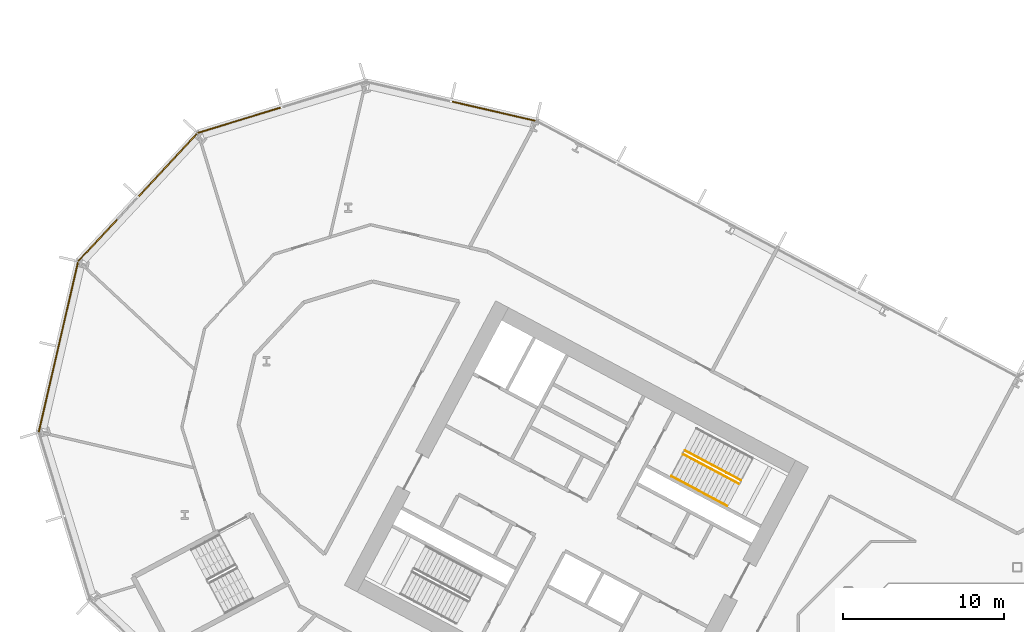
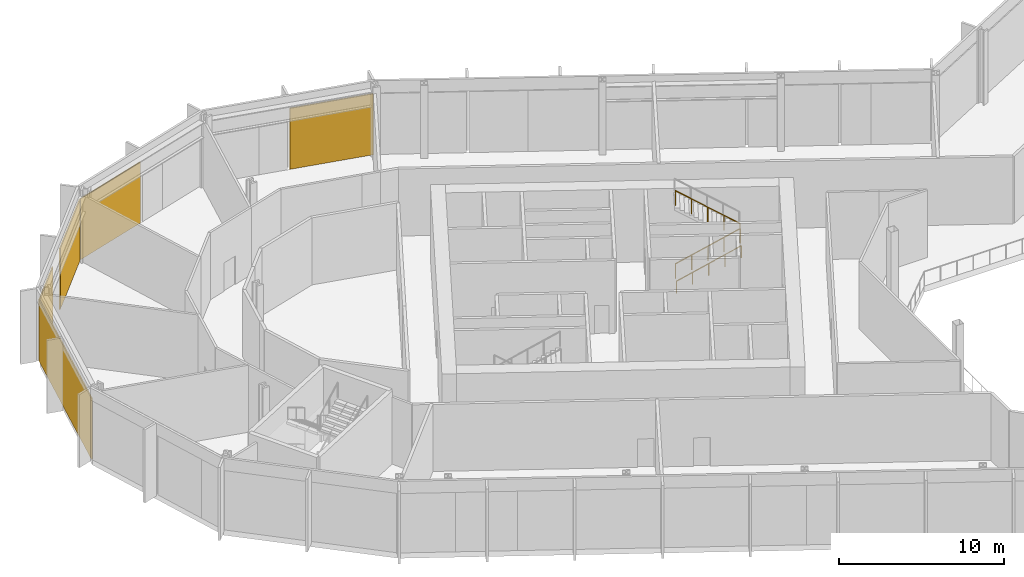
# One storey, part 23 of 30: 5 coverings, 3 railings, 4 elements without a shape of their own.
"""IFC4 building model written with IfcOpenShell, lengths in metres."""

from ifc_helpers import new_model, si_unit, direction, frame, origin, origin_2d, place, context, subcontext, project, spatial, polyline, rectangle, outline, extrude, material, layer, layer_set, type_object, element, aggregate, save


model = new_model("IFC4")

# Units and contexts
model_context = context("Model", 3, precision=1e-05, world=origin(), true_north=direction((0.0, 1.0)))
body_context = subcontext(model_context, "Body", "Model", "MODEL_VIEW")
ifc_project = project(units=[si_unit("LENGTHUNIT", "METRE"), si_unit("AREAUNIT", "SQUARE_METRE"), si_unit("VOLUMEUNIT", "CUBIC_METRE"), si_unit("PLANEANGLEUNIT", "RADIAN"), si_unit("MASSUNIT", "GRAM", prefix="KILO")], contexts=[model_context])

# Site, building, storey
site_placement = place(None, origin())
site = spatial("IfcSite", under=ifc_project, at=site_placement, CompositionType="ELEMENT")
building_placement = place(site_placement, origin())
building = spatial("IfcBuilding", under=site, at=building_placement, Name="Cormorant Relay Tower", CompositionType="ELEMENT")
storey_placement = place(building_placement, frame((0.0, 0.0, 55.39990234375)))
storey = spatial("IfcBuildingStorey", under=building, at=storey_placement, Name="L10", CompositionType="ELEMENT", Elevation=55.39990234375)

# Curtain wall, covering
ifc_material_1 = material(Name="Aluminium 6063-T6 anodised bronze", Category="aluminium")
ifc_layer_1 = layer(ifc_material_1, 0.235107421875)
ifc_layer_set_1 = layer_set([ifc_layer_1], Name="CW6 data hall curtain wall with mineral wool panels")
curtain_wall_type = type_object("IfcCurtainWallType", Name="CW6 data hall curtain wall with mineral wool panels", PredefinedType="NOTDEFINED", material=ifc_layer_set_1)
curtain_wall_1_placement = place(storey_placement, origin())
curtain_wall_1 = element("IfcCurtainWall", 1, at=curtain_wall_1_placement, inside=storey, type_object=curtain_wall_type, Name="CW6 curtain wall 8", PredefinedType="NOTDEFINED")
ifc_material_2 = material(Name="Mineral wool cored anodised bronze aluminium cassette panel", Category="aluminium")
ifc_layer_2 = layer(ifc_material_2, 0.074951171875)
ifc_layer_set_2 = layer_set([ifc_layer_2], Name="CW6 mineral wool cassette panel 75")
covering_type = type_object("IfcCoveringType", Name="CW6 mineral wool cassette panel 75", PredefinedType="CLADDING", material=ifc_layer_set_2)
covering_1_placement = place(storey_placement, frame((-32.51318359375, 40.31591796875, 0.0), z_axis=(0.0, 0.0, 1.0), x_axis=(-0.974370064785, 0.224951054344, 0.0)))
covering_1 = element("IfcCovering", 2, at=covering_1_placement, type_object=covering_type, Name="CW6 panel S00", PredefinedType="CLADDING", context=body_context, shape_type="SweptSolid", body=[
    extrude(rectangle(XDim=5.28515625, YDim=0.074951171875, at=origin_2d()), origin(), (0.0, 0.0, 1.0), 4.5),
])
aggregate(curtain_wall_1, [covering_1])

curtain_wall_2_placement = place(storey_placement, origin())
curtain_wall_2 = element("IfcCurtainWall", 3, at=curtain_wall_2_placement, inside=storey, type_object=curtain_wall_type, Name="CW6 curtain wall 9", PredefinedType="NOTDEFINED")
covering_2_placement = place(storey_placement, frame((-48.308837890625, 39.754638671875, 0.0), z_axis=(0.0, 0.0, 1.0), x_axis=(-0.956304755963, -0.292371704723, 0.0)))
covering_2 = element("IfcCovering", 4, at=covering_2_placement, type_object=covering_type, Name="CW6 panel S02", PredefinedType="CLADDING", context=body_context, shape_type="SweptSolid", body=[
    extrude(rectangle(XDim=5.360107421875, YDim=0.074951171875, at=origin_2d()), origin(), (0.0, 0.0, 1.0), 4.5),
])
aggregate(curtain_wall_2, [covering_2])

# Curtain wall, coverings
curtain_wall_3_placement = place(storey_placement, origin())
curtain_wall_3 = element("IfcCurtainWall", 5, at=curtain_wall_3_placement, inside=storey, type_object=curtain_wall_type, Name="CW6 curtain wall 10", PredefinedType="NOTDEFINED")
covering_3_placement = place(storey_placement, frame((-52.74169921875, 36.973388671875, 0.0), z_axis=(0.0, 0.0, 1.0), x_axis=(-0.681998360062, -0.731353701619, 0.0)))
covering_3 = element("IfcCovering", 6, at=covering_3_placement, type_object=covering_type, Name="CW6 panel S00", PredefinedType="CLADDING", context=body_context, shape_type="SweptSolid", body=[
    extrude(rectangle(XDim=5.28515625, YDim=0.074951171875, at=origin_2d()), origin(), (0.0, 0.0, 1.0), 4.5),
])
covering_4_placement = place(storey_placement, frame((-57.087890625, 32.3125, 0.0), z_axis=(0.0, 0.0, 1.0), x_axis=(-0.681998360062, -0.731353701619, 0.0)))
covering_4 = element("IfcCovering", 7, at=covering_4_placement, type_object=covering_type, Name="CW6 panel S02", PredefinedType="CLADDING", context=body_context, shape_type="SweptSolid", body=[
    extrude(rectangle(XDim=3.560302734375, YDim=0.074951171875, at=origin_2d()), origin(), (0.0, 0.0, 1.0), 4.5),
])
aggregate(curtain_wall_3, [covering_3, covering_4])

# Curtain wall, covering
curtain_wall_4_placement = place(storey_placement, origin())
curtain_wall_4 = element("IfcCurtainWall", 8, at=curtain_wall_4_placement, inside=storey, type_object=curtain_wall_type, Name="CW6 curtain wall 11", PredefinedType="NOTDEFINED")
covering_5_placement = place(storey_placement, frame((-59.542236328125, 25.6611328125, 0.0), z_axis=(0.0, 0.0, 1.0), x_axis=(-0.224951054344, -0.974370064785, 0.0)))
covering_5 = element("IfcCovering", 9, at=covering_5_placement, type_object=covering_type, Name="CW6 panel S00", PredefinedType="CLADDING", context=body_context, shape_type="SweptSolid", body=[
    extrude(rectangle(XDim=10.79541015625, YDim=0.074951171875, at=origin_2d()), origin(), (0.0, 0.0, 1.0), 4.5),
])
aggregate(curtain_wall_4, [covering_5])

# Railings
ifc_material_3 = material(Name="Steel ASTM A572 Grade 50 (Fy 345 MPa)", Category="steel")
railing_type_1 = type_object("IfcRailingType", Name="Stair guard 1100", PredefinedType="GUARDRAIL", material=ifc_material_3)
railing_1_placement = place(storey_placement, frame((-20.75048828125, 19.017822265625, 0.18017578125)))
element("IfcRailing", 10, at=railing_1_placement, inside=storey, type_object=railing_type_1, Name="L10 A1 stair guard 1", PredefinedType="GUARDRAIL", context=body_context, shape_type="SweptSolid", body=[
    extrude(outline(polyline([(0.022216796875, 0.00927734375), (0.00927734375, 0.022216796875), (-0.00927734375, 0.022216796875), (-0.022216796875, 0.00927734375), (-0.022216796875, -0.00927734375), (-0.00927734375, -0.022216796875), (0.00927734375, -0.022216796875), (0.022216796875, -0.00927734375), (0.022216796875, 0.00927734375)])), frame((0.0, 0.0, 1.076171875), z_axis=(0.74271721126, -0.394907409077, 0.540758062681), x_axis=(0.469469396681, 0.882948744594, 0.0)), (0.0, 0.0, 1.0), 4.66015625),
    extrude(outline(polyline([(0.019287109375, 0.008056640625), (0.008056640625, 0.019287109375), (-0.008056640625, 0.019287109375), (-0.019287109375, 0.008056640625), (-0.019287109375, -0.008056640625), (-0.008056640625, -0.019287109375), (0.008056640625, -0.019287109375), (0.019287109375, -0.008056640625), (0.019287109375, 0.008056640625)])), origin(), (0.0, 0.0, 1.0), 1.052001953125),
    extrude(outline(polyline([(0.019287109375, 0.008056640625), (0.008056640625, 0.019287109375), (-0.008056640625, 0.019287109375), (-0.019287109375, 0.008056640625), (-0.019287109375, -0.008056640625), (-0.008056640625, -0.019287109375), (0.008056640625, -0.019287109375), (0.019287109375, -0.008056640625), (0.019287109375, 0.008056640625)])), frame((0.865234375, -0.4599609375, 0.6298828125)), (0.0, 0.0, 1.0), 1.052001953125),
    extrude(outline(polyline([(0.019287109375, 0.008056640625), (0.008056640625, 0.019287109375), (-0.008056640625, 0.019287109375), (-0.019287109375, 0.008056640625), (-0.019287109375, -0.008056640625), (-0.008056640625, -0.019287109375), (0.008056640625, -0.019287109375), (0.019287109375, -0.008056640625), (0.019287109375, 0.008056640625)])), frame((1.73046875, -0.920166015625, 1.260009765625)), (0.0, 0.0, 1.0), 1.052001953125),
    extrude(outline(polyline([(0.019287109375, 0.008056640625), (0.008056640625, 0.019287109375), (-0.008056640625, 0.019287109375), (-0.019287109375, 0.008056640625), (-0.019287109375, -0.008056640625), (-0.008056640625, -0.019287109375), (0.008056640625, -0.019287109375), (0.019287109375, -0.008056640625), (0.019287109375, 0.008056640625)])), frame((2.595947265625, -1.38037109375, 1.89013671875)), (0.0, 0.0, 1.0), 1.052001953125),
    extrude(outline(polyline([(0.019287109375, 0.008056640625), (0.008056640625, 0.019287109375), (-0.008056640625, 0.019287109375), (-0.019287109375, 0.008056640625), (-0.019287109375, -0.008056640625), (-0.008056640625, -0.019287109375), (0.008056640625, -0.019287109375), (0.019287109375, -0.008056640625), (0.019287109375, 0.008056640625)])), frame((3.461181640625, -1.84033203125, 2.52001953125)), (0.0, 0.0, 1.0), 1.052001953125),
])
railing_2_placement = place(storey_placement, frame((-17.172119140625, 17.398193359375, 2.880126953125)))
element("IfcRailing", 11, at=railing_2_placement, inside=storey, type_object=railing_type_1, Name="L10 A1 stair guard 3", PredefinedType="GUARDRAIL", context=body_context, shape_type="SweptSolid", body=[
    extrude(outline(polyline([(0.022216796875, 0.00927734375), (0.00927734375, 0.022216796875), (-0.00927734375, 0.022216796875), (-0.022216796875, 0.00927734375), (-0.022216796875, -0.00927734375), (-0.00927734375, -0.022216796875), (0.00927734375, -0.022216796875), (0.022216796875, -0.00927734375), (0.022216796875, 0.00927734375)])), frame((0.0, 0.0, 1.076171875), z_axis=(-0.74271721126, 0.394907409077, 0.540758062681), x_axis=(-0.469469396681, -0.882948744594, 0.0)), (0.0, 0.0, 1.0), 4.66015625),
    extrude(outline(polyline([(0.019287109375, 0.008056640625), (0.008056640625, 0.019287109375), (-0.008056640625, 0.019287109375), (-0.019287109375, 0.008056640625), (-0.019287109375, -0.008056640625), (-0.008056640625, -0.019287109375), (0.008056640625, -0.019287109375), (0.019287109375, -0.008056640625), (0.019287109375, 0.008056640625)])), origin(), (0.0, 0.0, 1.0), 1.052001953125),
    extrude(outline(polyline([(0.019287109375, 0.008056640625), (0.008056640625, 0.019287109375), (-0.008056640625, 0.019287109375), (-0.019287109375, 0.008056640625), (-0.019287109375, -0.008056640625), (-0.008056640625, -0.019287109375), (0.008056640625, -0.019287109375), (0.019287109375, -0.008056640625), (0.019287109375, 0.008056640625)])), frame((-0.865234375, 0.4599609375, 0.6298828125)), (0.0, 0.0, 1.0), 1.052001953125),
    extrude(outline(polyline([(0.019287109375, 0.008056640625), (0.008056640625, 0.019287109375), (-0.008056640625, 0.019287109375), (-0.019287109375, 0.008056640625), (-0.019287109375, -0.008056640625), (-0.008056640625, -0.019287109375), (0.008056640625, -0.019287109375), (0.019287109375, -0.008056640625), (0.019287109375, 0.008056640625)])), frame((-1.73046875, 0.920166015625, 1.260009765625)), (0.0, 0.0, 1.0), 1.052001953125),
    extrude(outline(polyline([(0.019287109375, 0.008056640625), (0.008056640625, 0.019287109375), (-0.008056640625, 0.019287109375), (-0.019287109375, 0.008056640625), (-0.019287109375, -0.008056640625), (-0.008056640625, -0.019287109375), (0.008056640625, -0.019287109375), (0.019287109375, -0.008056640625), (0.019287109375, 0.008056640625)])), frame((-2.595947265625, 1.38037109375, 1.89013671875)), (0.0, 0.0, 1.0), 1.052001953125),
    extrude(outline(polyline([(0.019287109375, 0.008056640625), (0.008056640625, 0.019287109375), (-0.008056640625, 0.019287109375), (-0.019287109375, 0.008056640625), (-0.019287109375, -0.008056640625), (-0.008056640625, -0.019287109375), (0.008056640625, -0.019287109375), (0.019287109375, -0.008056640625), (0.019287109375, 0.008056640625)])), frame((-3.461181640625, 1.84033203125, 2.52001953125)), (0.0, 0.0, 1.0), 1.052001953125),
])
ifc_material_4 = material(Name="Steel ASTM A572 Grade 50 (Fy 345 MPa)", Category="steel")
railing_type_2 = type_object("IfcRailingType", Name="Stair handrail 900", PredefinedType="HANDRAIL", material=ifc_material_4)
railing_3_placement = place(storey_placement, frame((-21.478271484375, 17.6494140625, 0.18017578125)))
element("IfcRailing", 12, at=railing_3_placement, inside=storey, type_object=railing_type_2, Name="L10 A1 stair handrail 1", PredefinedType="HANDRAIL", context=body_context, shape_type="SweptSolid", body=[
    extrude(outline(polyline([(0.022216796875, 0.00927734375), (0.00927734375, 0.022216796875), (-0.00927734375, 0.022216796875), (-0.022216796875, 0.00927734375), (-0.022216796875, -0.00927734375), (-0.00927734375, -0.022216796875), (0.00927734375, -0.022216796875), (0.022216796875, -0.00927734375), (0.022216796875, 0.00927734375)])), frame((0.0, 0.0, 0.8759765625), z_axis=(0.74271721126, -0.394907409077, 0.540758062681), x_axis=(0.469469396681, 0.882948744594, 0.0)), (0.0, 0.0, 1.0), 4.66015625),
    extrude(outline(polyline([(0.019287109375, 0.008056640625), (0.008056640625, 0.019287109375), (-0.008056640625, 0.019287109375), (-0.019287109375, 0.008056640625), (-0.019287109375, -0.008056640625), (-0.008056640625, -0.019287109375), (0.008056640625, -0.019287109375), (0.019287109375, -0.008056640625), (0.019287109375, 0.008056640625)])), origin(), (0.0, 0.0, 1.0), 0.851806640625),
    extrude(outline(polyline([(0.019287109375, 0.008056640625), (0.008056640625, 0.019287109375), (-0.008056640625, 0.019287109375), (-0.019287109375, 0.008056640625), (-0.019287109375, -0.008056640625), (-0.008056640625, -0.019287109375), (0.008056640625, -0.019287109375), (0.019287109375, -0.008056640625), (0.019287109375, 0.008056640625)])), frame((0.865234375, -0.4599609375, 0.6298828125)), (0.0, 0.0, 1.0), 0.851806640625),
    extrude(outline(polyline([(0.019287109375, 0.008056640625), (0.008056640625, 0.019287109375), (-0.008056640625, 0.019287109375), (-0.019287109375, 0.008056640625), (-0.019287109375, -0.008056640625), (-0.008056640625, -0.019287109375), (0.008056640625, -0.019287109375), (0.019287109375, -0.008056640625), (0.019287109375, 0.008056640625)])), frame((1.73046875, -0.920166015625, 1.260009765625)), (0.0, 0.0, 1.0), 0.851806640625),
    extrude(outline(polyline([(0.019287109375, 0.008056640625), (0.008056640625, 0.019287109375), (-0.008056640625, 0.019287109375), (-0.019287109375, 0.008056640625), (-0.019287109375, -0.008056640625), (-0.008056640625, -0.019287109375), (0.008056640625, -0.019287109375), (0.019287109375, -0.008056640625), (0.019287109375, 0.008056640625)])), frame((2.595947265625, -1.38037109375, 1.89013671875)), (0.0, 0.0, 1.0), 0.851806640625),
    extrude(outline(polyline([(0.019287109375, 0.008056640625), (0.008056640625, 0.019287109375), (-0.008056640625, 0.019287109375), (-0.019287109375, 0.008056640625), (-0.019287109375, -0.008056640625), (-0.008056640625, -0.019287109375), (0.008056640625, -0.019287109375), (0.019287109375, -0.008056640625), (0.019287109375, 0.008056640625)])), frame((3.461181640625, -1.84033203125, 2.52001953125)), (0.0, 0.0, 1.0), 0.851806640625),
])

save(model, "model.ifc")
